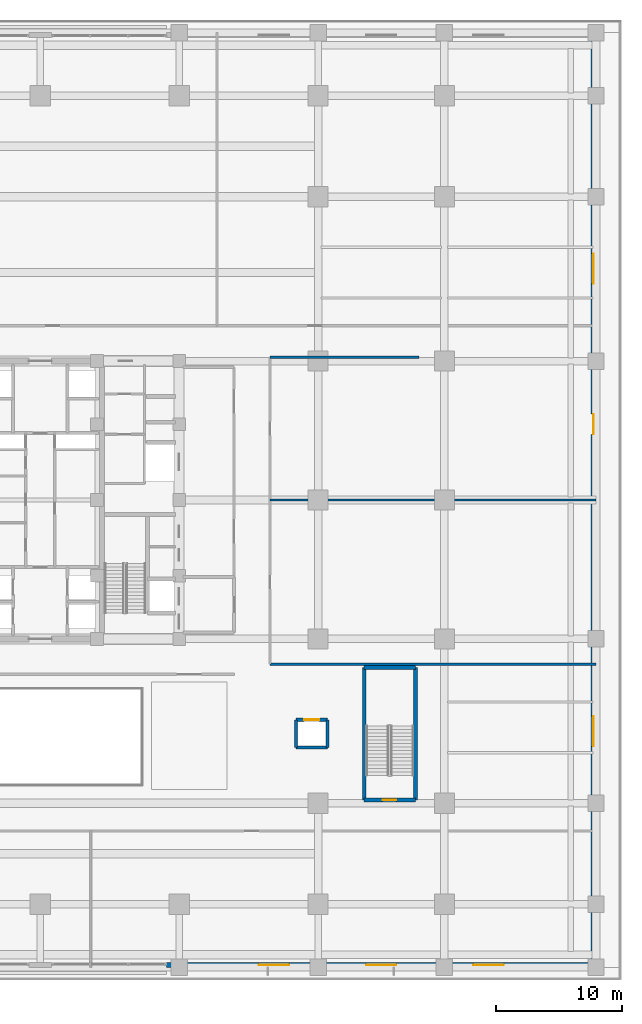
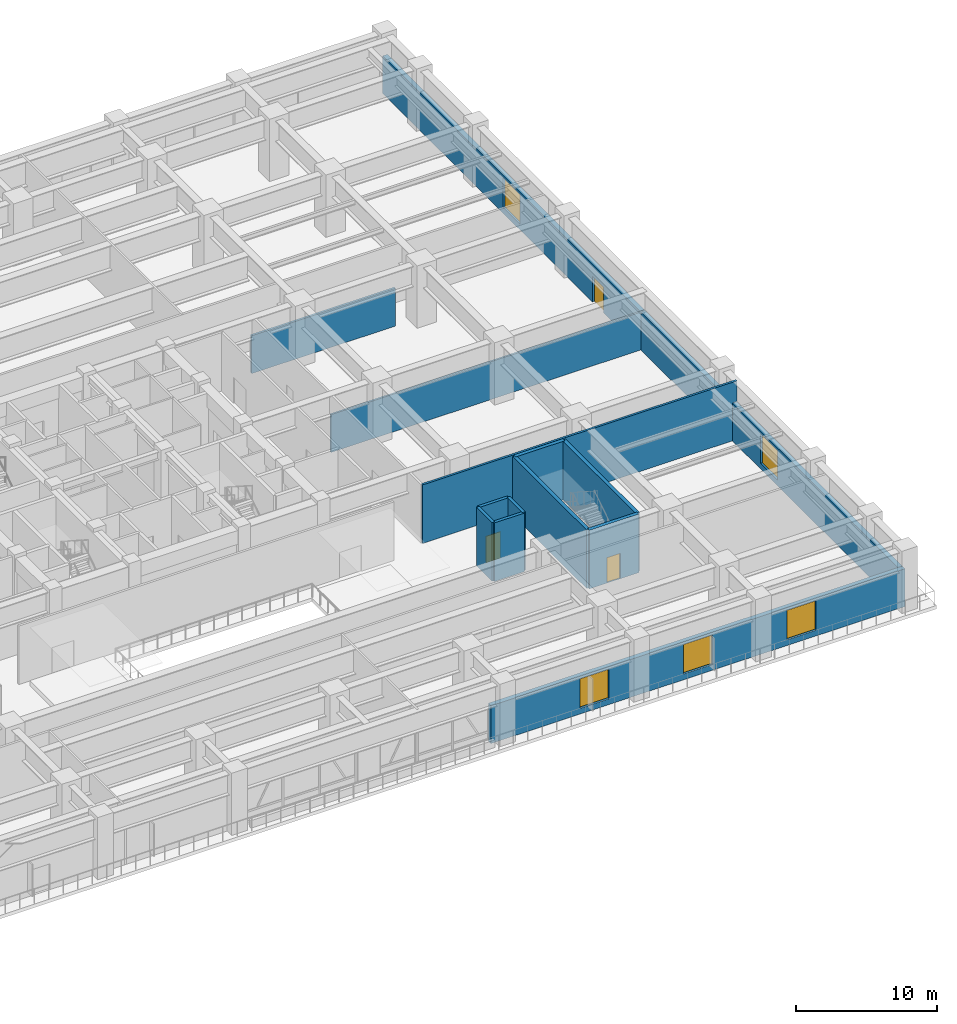
# One storey, part 20 of 28: 13 walls, 5 windows, 3 doors, 8 openings.
"""IFC4 building model written with IfcOpenShell, lengths in metres."""

from ifc_helpers import new_model, si_unit, direction, frame, frame_2d, origin, place, context, subcontext, project, spatial, rectangle, extrude, source, transform, mapped, material, layer, layer_set, type_object, element, fill, save


model = new_model("IFC4")

# Units and contexts
model_context = context("Model", 3, precision=1e-05, world=origin(), true_north=direction((0.0, 1.0)))
body_context = subcontext(model_context, "Body", "Model", "MODEL_VIEW")
ifc_project = project(units=[si_unit("LENGTHUNIT", "METRE"), si_unit("AREAUNIT", "SQUARE_METRE"), si_unit("VOLUMEUNIT", "CUBIC_METRE"), si_unit("PLANEANGLEUNIT", "RADIAN"), si_unit("MASSUNIT", "GRAM", prefix="KILO")], contexts=[model_context])

# Site, building, storey
site_placement = place(None, origin())
site = spatial("IfcSite", under=ifc_project, at=site_placement, CompositionType="ELEMENT")
building_placement = place(site_placement, origin())
building = spatial("IfcBuilding", under=site, at=building_placement, Name="Khorayat Bourse Tower", CompositionType="ELEMENT")
storey_placement = place(building_placement, frame((0.0, 0.0, 6.60009765625)))
storey = spatial("IfcBuildingStorey", under=building, at=storey_placement, Name="L01", CompositionType="ELEMENT", Elevation=6.60009765625)

# Wall, openings, windows
ifc_material_1 = material(Name="Precast concrete C45/55", Category="concrete")
ifc_layer_1 = layer(ifc_material_1, 0.3798828125)
ifc_layer_set_1 = layer_set([ifc_layer_1], Name="Precast concrete C45/55")
wall_type_1 = type_object("IfcWallType", Name="WAL-EXT-STONE-380", PredefinedType="STANDARD", material=ifc_layer_set_1)
shared_shape_1 = source(origin(), body_context, "Body", "SweptSolid", [
    extrude(rectangle(XDim=34.0, YDim=0.3798828125, at=frame_2d((17.0, 0.0))), origin(), (0.0, 0.0, 1.0), 3.27978515625),
])
wall_1_placement = place(storey_placement, frame((10.0, -36.81005859375, 0.0), z_axis=(0.0, 0.0, 1.0), x_axis=(1.0, 0.0, 0.0)))
wall_1 = element("IfcWall", 1, at=wall_1_placement, inside=storey, type_object=wall_type_1, Name="L01 Exterior Limestone Wall WAL-L01-EXT-SE", PredefinedType="STANDARD", context=body_context, shape_type="MappedRepresentation", body=[
    mapped(shared_shape_1, transform((0.0, 0.0, 0.0), scale=1.0)),
])
shared_shape_2 = source(origin(), body_context, "Body", "SweptSolid", [
    extrude(rectangle(XDim=2.39990234375, YDim=2.56005859375, at=frame_2d((1.199951171875, 1.280029296875))), frame((0.0, 0.199951171875, 0.0), z_axis=(0.0, -1.0, 0.0), x_axis=(1.0, 0.0, 0.0)), (0.0, 0.0, 1.0), 0.39990234375),
])
opening_1_placement = place(wall_1_placement, frame((7.300048828125, 0.0, 0.5)))
opening_1 = element("IfcOpeningElement", 2, at=opening_1_placement, cuts=wall_1, Name="Opening WN-01", PredefinedType="OPENING", context=body_context, shape_type="MappedRepresentation", body=[
    mapped(shared_shape_2, transform((0.0, 0.0, 0.0), scale=1.0)),
])
opening_2_placement = place(wall_1_placement, frame((15.800048828125, 0.0, 0.5)))
opening_2 = element("IfcOpeningElement", 3, at=opening_2_placement, cuts=wall_1, Name="Opening WN-01", PredefinedType="OPENING", context=body_context, shape_type="MappedRepresentation", body=[
    mapped(shared_shape_2, transform((0.0, 0.0, 0.0), scale=1.0)),
])
opening_3_placement = place(wall_1_placement, frame((24.300048828125, 0.0, 0.5)))
opening_3 = element("IfcOpeningElement", 4, at=opening_3_placement, cuts=wall_1, Name="Opening WN-01", PredefinedType="OPENING", context=body_context, shape_type="MappedRepresentation", body=[
    mapped(shared_shape_2, transform((0.0, 0.0, 0.0), scale=1.0)),
])
ifc_material_2 = material(Name="Low-E solar-control laminated double glazing", Category="glass")
window_type = type_object("IfcWindowType", Name="WIN-POD-2400x2600", PartitioningType="SINGLE_PANEL", PredefinedType="WINDOW", material=ifc_material_2)
shared_shape_3 = source(origin(), body_context, "Body", "SweptSolid", [
    extrude(rectangle(XDim=2.39990234375, YDim=2.56005859375, at=frame_2d((1.199951171875, 1.280029296875))), frame((0.0, 0.030029296875, 0.0), z_axis=(0.0, -1.0, 0.0), x_axis=(1.0, 0.0, 0.0)), (0.0, 0.0, 1.0), 0.06005859375),
])
window_1_placement = place(opening_1_placement, origin())
window_1 = element("IfcWindow", 5, at=window_1_placement, inside=storey, type_object=window_type, Name="L01 Facade Window 1", OverallHeight=2.56005859375, OverallWidth=2.39990234375, PartitioningType="SINGLE_PANEL", PredefinedType="WINDOW", context=body_context, shape_type="MappedRepresentation", body=[
    mapped(shared_shape_3, transform((0.0, 0.0, 0.0), scale=1.0)),
])
fill(opening_1, window_1)
window_2_placement = place(opening_2_placement, origin())
window_2 = element("IfcWindow", 6, at=window_2_placement, inside=storey, type_object=window_type, Name="L01 Facade Window 2", OverallHeight=2.56005859375, OverallWidth=2.39990234375, PartitioningType="SINGLE_PANEL", PredefinedType="WINDOW", context=body_context, shape_type="MappedRepresentation", body=[
    mapped(shared_shape_3, transform((0.0, 0.0, 0.0), scale=1.0)),
])
fill(opening_2, window_2)
window_3_placement = place(opening_3_placement, origin())
window_3 = element("IfcWindow", 7, at=window_3_placement, inside=storey, type_object=window_type, Name="L01 Facade Window 3", OverallHeight=2.56005859375, OverallWidth=2.39990234375, PartitioningType="SINGLE_PANEL", PredefinedType="WINDOW", context=body_context, shape_type="MappedRepresentation", body=[
    mapped(shared_shape_3, transform((0.0, 0.0, 0.0), scale=1.0)),
])
fill(opening_3, window_3)

# Wall, openings, door, windows
shared_shape_4 = source(origin(), body_context, "Body", "SweptSolid", [
    extrude(rectangle(XDim=73.240234375, YDim=0.3798828125, at=frame_2d((36.6201171875, 0.0))), origin(), (0.0, 0.0, 1.0), 3.27978515625),
])
wall_2_placement = place(storey_placement, frame((43.81005859375, -36.6201171875, 0.0), z_axis=(0.0, 0.0, 1.0), x_axis=(0.0, 1.0, 0.0)))
wall_2 = element("IfcWall", 8, at=wall_2_placement, inside=storey, type_object=wall_type_1, Name="L01 Exterior Limestone Wall WAL-L01-EXT-EF", PredefinedType="STANDARD", context=body_context, shape_type="MappedRepresentation", body=[
    mapped(shared_shape_4, transform((0.0, 0.0, 0.0), scale=1.0)),
])
shared_shape_5 = source(origin(), body_context, "Body", "SweptSolid", [
    extrude(rectangle(XDim=1.60009765625, YDim=2.25, at=frame_2d((0.800048828125, 1.125))), frame((0.0, 0.199951171875, 0.0), z_axis=(0.0, -1.0, 0.0), x_axis=(1.0, 0.0, 0.0)), (0.0, 0.0, 1.0), 0.39990234375),
])
opening_4_placement = place(wall_2_placement, frame((41.820068359375, 0.0, 0.0)))
opening_4 = element("IfcOpeningElement", 9, at=opening_4_placement, cuts=wall_2, Name="Opening DE-04", PredefinedType="OPENING", context=body_context, shape_type="MappedRepresentation", body=[
    mapped(shared_shape_5, transform((0.0, 0.0, 0.0), scale=1.0)),
])
opening_5_placement = place(wall_2_placement, frame((17.110107421875, 0.0, 0.5)))
opening_5 = element("IfcOpeningElement", 10, at=opening_5_placement, cuts=wall_2, Name="Opening WN-01", PredefinedType="OPENING", context=body_context, shape_type="MappedRepresentation", body=[
    mapped(shared_shape_2, transform((0.0, 0.0, 0.0), scale=1.0)),
])
opening_6_placement = place(wall_2_placement, frame((53.72998046875, 0.0, 0.5)))
opening_6 = element("IfcOpeningElement", 11, at=opening_6_placement, cuts=wall_2, Name="Opening WN-01", PredefinedType="OPENING", context=body_context, shape_type="MappedRepresentation", body=[
    mapped(shared_shape_2, transform((0.0, 0.0, 0.0), scale=1.0)),
])
ifc_material_3 = material(Name="Thermally broken aluminium terrace double door", Category="aluminium")
door_type_1 = type_object("IfcDoorType", Name="DR-EXT-TERR-1600", OperationType="NOTDEFINED", PredefinedType="DOOR", material=ifc_material_3)
shared_shape_6 = source(origin(), body_context, "Body", "SweptSolid", [
    extrude(rectangle(XDim=1.60009765625, YDim=2.25, at=frame_2d((0.800048828125, 1.125))), frame((0.0, 0.02490234375, 0.0), z_axis=(0.0, -1.0, 0.0), x_axis=(1.0, 0.0, 0.0)), (0.0, 0.0, 1.0), 0.050048828125),
])
door_1_placement = place(opening_4_placement, origin())
door_1 = element("IfcDoor", 12, at=door_1_placement, inside=storey, type_object=door_type_1, Name="L01 East Garden Terrace Door", OperationType="DOUBLE_DOOR_SINGLE_SWING", OverallHeight=2.25, OverallWidth=1.60009765625, PredefinedType="DOOR", context=body_context, shape_type="MappedRepresentation", body=[
    mapped(shared_shape_6, transform((0.0, 0.0, 0.0), scale=1.0)),
])
fill(opening_4, door_1)
window_4_placement = place(opening_5_placement, origin())
window_4 = element("IfcWindow", 13, at=window_4_placement, inside=storey, type_object=window_type, Name="L01 Facade Window 1", OverallHeight=2.56005859375, OverallWidth=2.39990234375, PartitioningType="SINGLE_PANEL", PredefinedType="WINDOW", context=body_context, shape_type="MappedRepresentation", body=[
    mapped(shared_shape_3, transform((0.0, 0.0, 0.0), scale=1.0)),
])
fill(opening_5, window_4)
window_5_placement = place(opening_6_placement, origin())
window_5 = element("IfcWindow", 14, at=window_5_placement, inside=storey, type_object=window_type, Name="L01 Facade Window 3", OverallHeight=2.56005859375, OverallWidth=2.39990234375, PartitioningType="SINGLE_PANEL", PredefinedType="WINDOW", context=body_context, shape_type="MappedRepresentation", body=[
    mapped(shared_shape_3, transform((0.0, 0.0, 0.0), scale=1.0)),
])
fill(opening_6, window_5)

# Wall, opening, door
ifc_material_4 = material(Name="Concrete C50/60", Category="concrete")
ifc_layer_2 = layer(ifc_material_4, 0.300048828125)
ifc_layer_set_2 = layer_set([ifc_layer_2], Name="Concrete C50/60")
wall_type_2 = type_object("IfcWallType", Name="WAL-SHAFT-300", PredefinedType="SHEAR", material=ifc_layer_set_2)
shared_shape_7 = source(origin(), body_context, "Body", "SweptSolid", [
    extrude(rectangle(XDim=4.050048828125, YDim=0.300048828125, at=frame_2d((2.02490234375, 0.0))), origin(), (0.0, 0.0, 1.0), 5.079833984375),
])
wall_3_placement = place(storey_placement, frame((25.64990234375, -23.75, 0.0), z_axis=(0.0, 0.0, 1.0), x_axis=(1.0, 0.0, 0.0)))
wall_3 = element("IfcWall", 15, at=wall_3_placement, inside=storey, type_object=wall_type_2, Name="L01 Partition WAL-L01-STP2-S", PredefinedType="SHEAR", context=body_context, shape_type="MappedRepresentation", body=[
    mapped(shared_shape_7, transform((0.0, 0.0, 0.0), scale=1.0)),
])
shared_shape_8 = source(origin(), body_context, "Body", "SweptSolid", [
    extrude(rectangle(XDim=1.10009765625, YDim=2.199951171875, at=frame_2d((0.550048828125, 1.10009765625))), frame((0.0, 0.159912109375, 0.0), z_axis=(0.0, -1.0, 0.0), x_axis=(1.0, 0.0, 0.0)), (0.0, 0.0, 1.0), 0.320068359375),
])
opening_7_placement = place(wall_3_placement, frame((1.449951171875, 0.0, 0.0)))
opening_7 = element("IfcOpeningElement", 16, at=opening_7_placement, cuts=wall_3, Name="Opening DI-01", PredefinedType="OPENING", context=body_context, shape_type="MappedRepresentation", body=[
    mapped(shared_shape_8, transform((0.0, 0.0, 0.0), scale=1.0)),
])
ifc_material_5 = material(Name="Fire-rated steel acoustic leaf", Category="steel")
door_type_2 = type_object("IfcDoorType", Name="DR-INT-STAIR-1100", OperationType="NOTDEFINED", PredefinedType="DOOR", material=ifc_material_5)
shared_shape_9 = source(origin(), body_context, "Body", "SweptSolid", [
    extrude(rectangle(XDim=1.10009765625, YDim=2.199951171875, at=frame_2d((0.550048828125, 1.10009765625))), frame((0.0, 0.02490234375, 0.0), z_axis=(0.0, -1.0, 0.0), x_axis=(1.0, 0.0, 0.0)), (0.0, 0.0, 1.0), 0.050048828125),
])
door_2_placement = place(opening_7_placement, origin())
door_2 = element("IfcDoor", 17, at=door_2_placement, inside=storey, type_object=door_type_2, Name="L01 Podium Stair P2 Door", OperationType="SINGLE_SWING_RIGHT", OverallHeight=2.199951171875, OverallWidth=1.10009765625, PredefinedType="DOOR", context=body_context, shape_type="MappedRepresentation", body=[
    mapped(shared_shape_9, transform((0.0, 0.0, 0.0), scale=1.0)),
])
fill(opening_7, door_2)

# Walls
wall_4_placement = place(storey_placement, frame((25.64990234375, -13.25, 0.0), z_axis=(0.0, 0.0, 1.0), x_axis=(1.0, 0.0, 0.0)))
element("IfcWall", 18, at=wall_4_placement, inside=storey, type_object=wall_type_2, Name="L01 Partition WAL-L01-STP2-N", PredefinedType="SHEAR", context=body_context, shape_type="MappedRepresentation", body=[
    mapped(shared_shape_7, transform((0.0, 0.0, 0.0), scale=1.0)),
])
shared_shape_10 = source(origin(), body_context, "Body", "SweptSolid", [
    extrude(rectangle(XDim=10.5, YDim=0.300048828125, at=frame_2d((5.25, 0.0))), origin(), (0.0, 0.0, 1.0), 5.079833984375),
])
for number, where, z_axis, x_axis, name in (
    (19, (25.64990234375, -23.75, 0.0), (0.0, 0.0, 1.0), (0.0, 1.0, 0.0), "L01 Partition WAL-L01-STP2-W"),
    (20, (29.699951171875, -23.75, 0.0), (0.0, 0.0, 1.0), (0.0, 1.0, 0.0), "L01 Partition WAL-L01-STP2-E"),
):
    element("IfcWall", number, at=place(storey_placement, frame(where, z_axis=z_axis, x_axis=x_axis)), inside=storey, type_object=wall_type_2, Name=name, PredefinedType="SHEAR", context=body_context, shape_type="MappedRepresentation", body=[
        mapped(shared_shape_10, transform((0.0, 0.0, 0.0), scale=1.0)),
    ])
shared_shape_11 = source(origin(), body_context, "Body", "SweptSolid", [
    extrude(rectangle(XDim=2.5, YDim=0.25, at=frame_2d((1.25, 0.0))), origin(), (0.0, 0.0, 1.0), 5.079833984375),
])
wall_5_placement = place(storey_placement, frame((20.25, -19.60009765625, 0.0), z_axis=(0.0, 0.0, 1.0), x_axis=(1.0, 0.0, 0.0)))
element("IfcWall", 21, at=wall_5_placement, inside=storey, type_object=wall_type_2, Name="L01 Partition WAL-L01-PLP2-S", PredefinedType="SHEAR", context=body_context, shape_type="MappedRepresentation", body=[
    mapped(shared_shape_11, transform((0.0, 0.0, 0.0), scale=1.0)),
])

# Wall, opening, door
wall_6_placement = place(storey_placement, frame((20.25, -17.39990234375, 0.0), z_axis=(0.0, 0.0, 1.0), x_axis=(1.0, 0.0, 0.0)))
wall_6 = element("IfcWall", 22, at=wall_6_placement, inside=storey, type_object=wall_type_2, Name="L01 Partition WAL-L01-PLP2-N", PredefinedType="SHEAR", context=body_context, shape_type="MappedRepresentation", body=[
    mapped(shared_shape_11, transform((0.0, 0.0, 0.0), scale=1.0)),
])
shared_shape_12 = source(origin(), body_context, "Body", "SweptSolid", [
    extrude(rectangle(XDim=1.199951171875, YDim=2.300048828125, at=frame_2d((0.60009765625, 1.14990234375))), frame((0.0, 0.135009765625, 0.0), z_axis=(0.0, -1.0, 0.0), x_axis=(1.0, 0.0, 0.0)), (0.0, 0.0, 1.0), 0.27001953125),
])
opening_8_placement = place(wall_6_placement, frame((0.64990234375, 0.0, 0.0)))
opening_8 = element("IfcOpeningElement", 23, at=opening_8_placement, cuts=wall_6, Name="Opening LD-01", PredefinedType="OPENING", context=body_context, shape_type="MappedRepresentation", body=[
    mapped(shared_shape_12, transform((0.0, 0.0, 0.0), scale=1.0)),
])
ifc_material_6 = material(Name="Brushed bronze stainless-steel sliding door", Category="steel")
door_type_3 = type_object("IfcDoorType", Name="DR-LIFT-PASS-1200", OperationType="NOTDEFINED", PredefinedType="DOOR", material=ifc_material_6)
shared_shape_13 = source(origin(), body_context, "Body", "SweptSolid", [
    extrude(rectangle(XDim=1.199951171875, YDim=2.300048828125, at=frame_2d((0.60009765625, 1.14990234375))), frame((0.0, 0.02490234375, 0.0), z_axis=(0.0, -1.0, 0.0), x_axis=(1.0, 0.0, 0.0)), (0.0, 0.0, 1.0), 0.050048828125),
])
door_3_placement = place(opening_8_placement, origin())
door_3 = element("IfcDoor", 24, at=door_3_placement, inside=storey, type_object=door_type_3, Name="L01 Lift PL-P2 Sliding Landing Door", OperationType="SLIDING_TO_LEFT", OverallHeight=2.300048828125, OverallWidth=1.199951171875, PredefinedType="DOOR", context=body_context, shape_type="MappedRepresentation", body=[
    mapped(shared_shape_13, transform((0.0, 0.0, 0.0), scale=1.0)),
])
fill(opening_8, door_3)

# Walls
shared_shape_14 = source(origin(), body_context, "Body", "SweptSolid", [
    extrude(rectangle(XDim=2.2001953125, YDim=0.25, at=frame_2d((1.10009765625, 0.0))), origin(), (0.0, 0.0, 1.0), 5.079833984375),
])
for number, where, z_axis, x_axis, name in (
    (25, (20.25, -19.60009765625, 0.0), (0.0, 0.0, 1.0), (0.0, 1.0, 0.0), "L01 Partition WAL-L01-PLP2-W"),
    (26, (22.75, -19.60009765625, 0.0), (0.0, 0.0, 1.0), (0.0, 1.0, 0.0), "L01 Partition WAL-L01-PLP2-E"),
):
    element("IfcWall", number, at=place(storey_placement, frame(where, z_axis=z_axis, x_axis=x_axis)), inside=storey, type_object=wall_type_2, Name=name, PredefinedType="SHEAR", context=body_context, shape_type="MappedRepresentation", body=[
        mapped(shared_shape_14, transform((0.0, 0.0, 0.0), scale=1.0)),
    ])
ifc_material_7 = material(Name="Gypsum plasterboard acoustic stud wall")
ifc_layer_3 = layer(ifc_material_7, 0.179931640625)
ifc_layer_set_3 = layer_set([ifc_layer_3], Name="Gypsum plasterboard acoustic stud wall")
wall_type_3 = type_object("IfcWallType", Name="WAL-PART-CORR-180", PredefinedType="PARTITIONING", material=ifc_layer_set_3)
shared_shape_15 = source(origin(), body_context, "Body", "SweptSolid", [
    extrude(rectangle(XDim=11.800048828125, YDim=0.179931640625, at=frame_2d((5.89990234375, 0.0))), origin(), (0.0, 0.0, 1.0), 3.27978515625),
])
wall_7_placement = place(storey_placement, frame((18.199951171875, 11.300048828125, 0.0), z_axis=(0.0, 0.0, 1.0), x_axis=(1.0, 0.0, 0.0)))
element("IfcWall", 27, at=wall_7_placement, inside=storey, type_object=wall_type_3, Name="L01 Partition WAL-L01-PCORRN-SE", PredefinedType="PARTITIONING", context=body_context, shape_type="MappedRepresentation", body=[
    mapped(shared_shape_15, transform((0.0, 0.0, 0.0), scale=1.0)),
])
shared_shape_16 = source(origin(), body_context, "Body", "SweptSolid", [
    extrude(rectangle(XDim=25.800048828125, YDim=0.179931640625, at=frame_2d((12.89990234375, 0.0))), origin(), (0.0, 0.0, 1.0), 5.079833984375),
])
wall_8_placement = place(storey_placement, frame((18.199951171875, -13.0, 0.0), z_axis=(0.0, 0.0, 1.0), x_axis=(1.0, 0.0, 0.0)))
element("IfcWall", 28, at=wall_8_placement, inside=storey, type_object=wall_type_3, Name="L01 Partition WAL-L01-PE-S", PredefinedType="PARTITIONING", context=body_context, shape_type="MappedRepresentation", body=[
    mapped(shared_shape_16, transform((0.0, 0.0, 0.0), scale=1.0)),
])
ifc_material_8 = material(Name="Gypsum plasterboard twin-frame partition")
ifc_layer_4 = layer(ifc_material_8, 0.14990234375)
ifc_layer_set_4 = layer_set([ifc_layer_4], Name="Gypsum plasterboard twin-frame partition")
wall_type_4 = type_object("IfcWallType", Name="WAL-PART-SUITE-150", PredefinedType="PARTITIONING", material=ifc_layer_set_4)
shared_shape_17 = source(origin(), body_context, "Body", "SweptSolid", [
    extrude(rectangle(XDim=25.800048828125, YDim=0.14990234375, at=frame_2d((12.89990234375, 0.0))), origin(), (0.0, 0.0, 1.0), 3.27978515625),
])
wall_9_placement = place(storey_placement, frame((18.199951171875, 0.0, 0.0), z_axis=(0.0, 0.0, 1.0), x_axis=(1.0, 0.0, 0.0)))
element("IfcWall", 29, at=wall_9_placement, inside=storey, type_object=wall_type_4, Name="L01 Partition WAL-L01-PE-DIV-1", PredefinedType="PARTITIONING", context=body_context, shape_type="MappedRepresentation", body=[
    mapped(shared_shape_17, transform((0.0, 0.0, 0.0), scale=1.0)),
])

save(model, "model.ifc")
